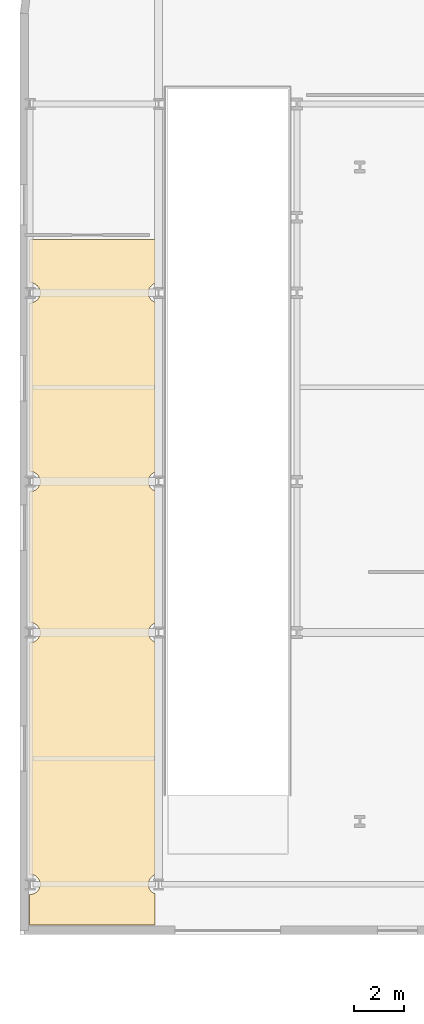
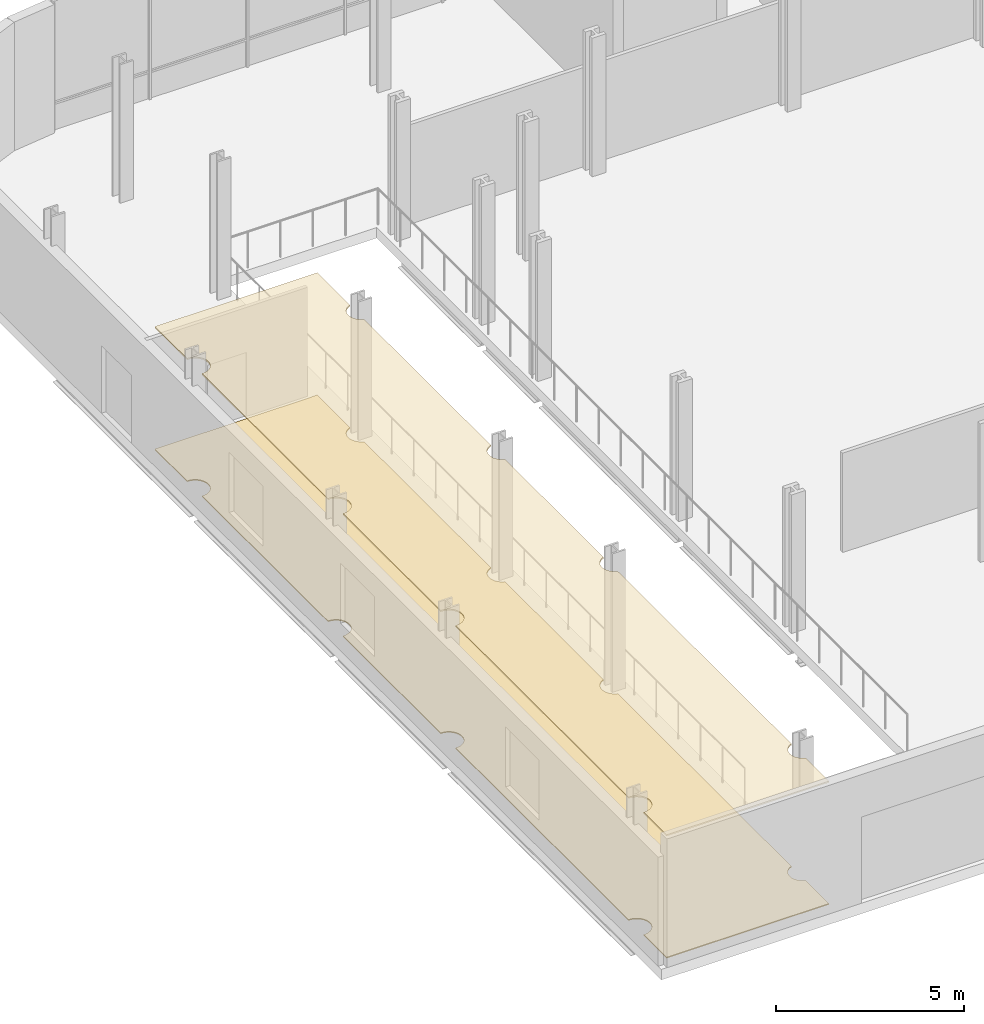
# One storey, part 22 of 28: 2 coverings.
"""IFC4 building model written with IfcOpenShell, lengths in metres."""

from ifc_helpers import new_model, si_unit, direction, frame, origin, place, context, subcontext, project, spatial, polyline, outline, extrude, material, layer, layer_set, type_object, element, save


model = new_model("IFC4")

# Units and contexts
model_context = context("Model", 3, precision=1e-05, world=origin(), true_north=direction((0.0, 1.0)))
body_context = subcontext(model_context, "Body", "Model", "MODEL_VIEW")
ifc_project = project(units=[si_unit("LENGTHUNIT", "METRE"), si_unit("AREAUNIT", "SQUARE_METRE"), si_unit("VOLUMEUNIT", "CUBIC_METRE"), si_unit("PLANEANGLEUNIT", "RADIAN"), si_unit("MASSUNIT", "GRAM", prefix="KILO")], contexts=[model_context])

# Site, building, storey
site_placement = place(None, origin())
site = spatial("IfcSite", under=ifc_project, at=site_placement, CompositionType="ELEMENT")
building_placement = place(site_placement, origin())
building = spatial("IfcBuilding", under=site, at=building_placement, Name="Brevholm Reach", CompositionType="ELEMENT")
storey_placement = place(building_placement, origin())
storey = spatial("IfcBuildingStorey", under=building, at=storey_placement, Name="L00", CompositionType="ELEMENT", Elevation=0.0)

# Coverings
ifc_material_1 = material(Name="Perforated Mineral-Fibre Class-A Acoustic Suspended Ceiling", Category="gypsum")
ifc_layer_1 = layer(ifc_material_1, 0.044921875)
ifc_layer_set_1 = layer_set([ifc_layer_1], Name="Perforated Mineral-Fibre Class-A Acoustic Suspended Ceiling")
covering_type_1 = type_object("IfcCoveringType", Name="COV-CLG-AC", PredefinedType="CEILING", material=ifc_layer_set_1)
covering_1_placement = place(storey_placement, frame((0.0, 0.0, 3.965087890625)))
element("IfcCovering", 1, at=covering_1_placement, inside=storey, type_object=covering_type_1, Name="L00 Suspended Ceiling L00-39", PredefinedType="CEILING", context=body_context, shape_type="SweptSolid", body=[
    extrude(outline(polyline([(-10.6201171875, -0.39892578125), (-10.60009765625, -0.39990234375), (-10.560791015625, -0.398193359375), (-10.52197265625, -0.392333984375), (-10.48388671875, -0.3828125), (-10.447021484375, -0.36962890625), (-10.411376953125, -0.352783203125), (-10.377685546875, -0.33251953125), (-10.34619140625, -0.30908203125), (-10.317138671875, -0.28271484375), (-10.290771484375, -0.25390625), (-10.267333984375, -0.22216796875), (-10.247314453125, -0.188720703125), (-10.23046875, -0.153076171875), (-10.21728515625, -0.1162109375), (-10.207763671875, -0.077880859375), (-10.201904296875, -0.039306640625), (-10.199951171875, 0.0), (-10.201904296875, 0.039306640625), (-10.207763671875, 0.077880859375), (-10.21728515625, 0.1162109375), (-10.23046875, 0.153076171875), (-10.247314453125, 0.188720703125), (-10.267333984375, 0.22216796875), (-10.290771484375, 0.25390625), (-10.317138671875, 0.28271484375), (-10.34619140625, 0.30908203125), (-10.377685546875, 0.33251953125), (-10.411376953125, 0.352783203125), (-10.447021484375, 0.36962890625), (-10.48388671875, 0.3828125), (-10.52197265625, 0.392333984375), (-10.560791015625, 0.398193359375), (-10.60009765625, 0.39990234375), (-10.6201171875, 0.39892578125), (-10.6201171875, 9.60107421875), (-10.60009765625, 9.60009765625), (-10.560791015625, 9.601806640625), (-10.52197265625, 9.607666015625), (-10.48388671875, 9.6171875), (-10.447021484375, 9.63037109375), (-10.411376953125, 9.647216796875), (-10.377685546875, 9.66748046875), (-10.34619140625, 9.69091796875), (-10.317138671875, 9.71728515625), (-10.290771484375, 9.74609375), (-10.267333984375, 9.77783203125), (-10.247314453125, 9.811279296875), (-10.23046875, 9.846923828125), (-10.21728515625, 9.8837890625), (-10.207763671875, 9.922119140625), (-10.201904296875, 9.960693359375), (-10.199951171875, 10.0), (-10.201904296875, 10.039306640625), (-10.207763671875, 10.077880859375), (-10.21728515625, 10.1162109375), (-10.23046875, 10.153076171875), (-10.247314453125, 10.188720703125), (-10.267333984375, 10.22216796875), (-10.290771484375, 10.25390625), (-10.317138671875, 10.28271484375), (-10.34619140625, 10.30908203125), (-10.377685546875, 10.33251953125), (-10.411376953125, 10.352783203125), (-10.447021484375, 10.36962890625), (-10.48388671875, 10.3828125), (-10.52197265625, 10.392333984375), (-10.560791015625, 10.398193359375), (-10.60009765625, 10.39990234375), (-10.6201171875, 10.39892578125), (-10.6201171875, 15.60107421875), (-10.60009765625, 15.60009765625), (-10.560791015625, 15.601806640625), (-10.52197265625, 15.607666015625), (-10.48388671875, 15.6171875), (-10.447021484375, 15.63037109375), (-10.411376953125, 15.647216796875), (-10.377685546875, 15.66748046875), (-10.34619140625, 15.69091796875), (-10.317138671875, 15.71728515625), (-10.290771484375, 15.74609375), (-10.267333984375, 15.77783203125), (-10.247314453125, 15.811279296875), (-10.23046875, 15.846923828125), (-10.21728515625, 15.8837890625), (-10.207763671875, 15.922119140625), (-10.201904296875, 15.960693359375), (-10.199951171875, 16.0), (-10.201904296875, 16.039306640625), (-10.207763671875, 16.077880859375), (-10.21728515625, 16.1162109375), (-10.23046875, 16.153076171875), (-10.247314453125, 16.188720703125), (-10.267333984375, 16.22216796875), (-10.290771484375, 16.25390625), (-10.317138671875, 16.28271484375), (-10.34619140625, 16.30908203125), (-10.377685546875, 16.33251953125), (-10.411376953125, 16.352783203125), (-10.447021484375, 16.36962890625), (-10.48388671875, 16.3828125), (-10.52197265625, 16.392333984375), (-10.560791015625, 16.398193359375), (-10.60009765625, 16.39990234375), (-10.6201171875, 16.39892578125), (-10.6201171875, 23.10107421875), (-10.60009765625, 23.10009765625), (-10.560791015625, 23.101806640625), (-10.52197265625, 23.107666015625), (-10.48388671875, 23.1171875), (-10.447021484375, 23.13037109375), (-10.411376953125, 23.147216796875), (-10.377685546875, 23.16748046875), (-10.34619140625, 23.19091796875), (-10.317138671875, 23.21728515625), (-10.290771484375, 23.24609375), (-10.267333984375, 23.27783203125), (-10.247314453125, 23.311279296875), (-10.23046875, 23.346923828125), (-10.21728515625, 23.3837890625), (-10.207763671875, 23.422119140625), (-10.201904296875, 23.460693359375), (-10.199951171875, 23.5), (-10.201904296875, 23.539306640625), (-10.207763671875, 23.577880859375), (-10.21728515625, 23.6162109375), (-10.23046875, 23.653076171875), (-10.247314453125, 23.688720703125), (-10.267333984375, 23.72216796875), (-10.290771484375, 23.75390625), (-10.317138671875, 23.78271484375), (-10.34619140625, 23.80908203125), (-10.377685546875, 23.83251953125), (-10.411376953125, 23.852783203125), (-10.447021484375, 23.86962890625), (-10.48388671875, 23.8828125), (-10.52197265625, 23.892333984375), (-10.560791015625, 23.898193359375), (-10.60009765625, 23.89990234375), (-10.6201171875, 23.89892578125), (-10.6201171875, 25.615966796875), (-5.85009765625, 25.615966796875), (-5.83251953125, 25.616943359375), (-5.81494140625, 25.619384765625), (-5.812744140625, 25.6201171875), (-5.6298828125, 25.6201171875), (-5.6298828125, 23.877685546875), (-5.653076171875, 23.86962890625), (-5.688720703125, 23.852783203125), (-5.72216796875, 23.83251953125), (-5.75390625, 23.80908203125), (-5.78271484375, 23.78271484375), (-5.80908203125, 23.75390625), (-5.83251953125, 23.72216796875), (-5.852783203125, 23.688720703125), (-5.86962890625, 23.653076171875), (-5.8828125, 23.6162109375), (-5.892333984375, 23.577880859375), (-5.898193359375, 23.539306640625), (-5.89990234375, 23.5), (-5.898193359375, 23.460693359375), (-5.892333984375, 23.422119140625), (-5.8828125, 23.3837890625), (-5.86962890625, 23.346923828125), (-5.852783203125, 23.311279296875), (-5.83251953125, 23.27783203125), (-5.80908203125, 23.24609375), (-5.78271484375, 23.21728515625), (-5.75390625, 23.19091796875), (-5.72216796875, 23.16748046875), (-5.688720703125, 23.147216796875), (-5.653076171875, 23.13037109375), (-5.6298828125, 23.122314453125), (-5.6298828125, 16.377685546875), (-5.653076171875, 16.36962890625), (-5.688720703125, 16.352783203125), (-5.72216796875, 16.33251953125), (-5.75390625, 16.30908203125), (-5.78271484375, 16.28271484375), (-5.80908203125, 16.25390625), (-5.83251953125, 16.22216796875), (-5.852783203125, 16.188720703125), (-5.86962890625, 16.153076171875), (-5.8828125, 16.1162109375), (-5.892333984375, 16.077880859375), (-5.898193359375, 16.039306640625), (-5.89990234375, 16.0), (-5.898193359375, 15.960693359375), (-5.892333984375, 15.922119140625), (-5.8828125, 15.8837890625), (-5.86962890625, 15.846923828125), (-5.852783203125, 15.811279296875), (-5.83251953125, 15.77783203125), (-5.80908203125, 15.74609375), (-5.78271484375, 15.71728515625), (-5.75390625, 15.69091796875), (-5.72216796875, 15.66748046875), (-5.688720703125, 15.647216796875), (-5.653076171875, 15.63037109375), (-5.6298828125, 15.622314453125), (-5.6298828125, 10.377685546875), (-5.653076171875, 10.36962890625), (-5.688720703125, 10.352783203125), (-5.72216796875, 10.33251953125), (-5.75390625, 10.30908203125), (-5.78271484375, 10.28271484375), (-5.80908203125, 10.25390625), (-5.83251953125, 10.22216796875), (-5.852783203125, 10.188720703125), (-5.86962890625, 10.153076171875), (-5.8828125, 10.1162109375), (-5.892333984375, 10.077880859375), (-5.898193359375, 10.039306640625), (-5.89990234375, 10.0), (-5.898193359375, 9.960693359375), (-5.892333984375, 9.922119140625), (-5.8828125, 9.8837890625), (-5.86962890625, 9.846923828125), (-5.852783203125, 9.811279296875), (-5.83251953125, 9.77783203125), (-5.80908203125, 9.74609375), (-5.78271484375, 9.71728515625), (-5.75390625, 9.69091796875), (-5.72216796875, 9.66748046875), (-5.688720703125, 9.647216796875), (-5.653076171875, 9.63037109375), (-5.6298828125, 9.622314453125), (-5.6298828125, 0.377685546875), (-5.653076171875, 0.36962890625), (-5.688720703125, 0.352783203125), (-5.72216796875, 0.33251953125), (-5.75390625, 0.30908203125), (-5.78271484375, 0.28271484375), (-5.80908203125, 0.25390625), (-5.83251953125, 0.22216796875), (-5.852783203125, 0.188720703125), (-5.86962890625, 0.153076171875), (-5.8828125, 0.1162109375), (-5.892333984375, 0.077880859375), (-5.898193359375, 0.039306640625), (-5.89990234375, 0.0), (-5.898193359375, -0.039306640625), (-5.892333984375, -0.077880859375), (-5.8828125, -0.1162109375), (-5.86962890625, -0.153076171875), (-5.852783203125, -0.188720703125), (-5.83251953125, -0.22216796875), (-5.80908203125, -0.25390625), (-5.78271484375, -0.28271484375), (-5.75390625, -0.30908203125), (-5.72216796875, -0.33251953125), (-5.688720703125, -0.352783203125), (-5.653076171875, -0.36962890625), (-5.6298828125, -0.377685546875), (-5.6298828125, -1.6201171875), (-10.6201171875, -1.6201171875), (-10.6201171875, -0.39892578125)])), origin(), (0.0, 0.0, 1.0), 0.044921875),
])
ifc_material_2 = material(Name="Honed Portland-Aggregate Resin Terrazzo Flooring", Category="concrete")
ifc_layer_2 = layer(ifc_material_2, 0.031982421875)
ifc_layer_set_2 = layer_set([ifc_layer_2], Name="Honed Portland-Aggregate Resin Terrazzo Flooring")
covering_type_2 = type_object("IfcCoveringType", Name="COV-FLR-TRZ", PredefinedType="FLOORING", material=ifc_layer_set_2)
covering_2_placement = place(storey_placement, origin())
element("IfcCovering", 2, at=covering_2_placement, inside=storey, type_object=covering_type_2, Name="L00 Floor Finish L00-39", PredefinedType="FLOORING", context=body_context, shape_type="SweptSolid", body=[
    extrude(outline(polyline([(-10.6201171875, -0.39892578125), (-10.60009765625, -0.39990234375), (-10.560791015625, -0.398193359375), (-10.52197265625, -0.392333984375), (-10.48388671875, -0.3828125), (-10.447021484375, -0.36962890625), (-10.411376953125, -0.352783203125), (-10.377685546875, -0.33251953125), (-10.34619140625, -0.30908203125), (-10.317138671875, -0.28271484375), (-10.290771484375, -0.25390625), (-10.267333984375, -0.22216796875), (-10.247314453125, -0.188720703125), (-10.23046875, -0.153076171875), (-10.21728515625, -0.1162109375), (-10.207763671875, -0.077880859375), (-10.201904296875, -0.039306640625), (-10.199951171875, 0.0), (-10.201904296875, 0.039306640625), (-10.207763671875, 0.077880859375), (-10.21728515625, 0.1162109375), (-10.23046875, 0.153076171875), (-10.247314453125, 0.188720703125), (-10.267333984375, 0.22216796875), (-10.290771484375, 0.25390625), (-10.317138671875, 0.28271484375), (-10.34619140625, 0.30908203125), (-10.377685546875, 0.33251953125), (-10.411376953125, 0.352783203125), (-10.447021484375, 0.36962890625), (-10.48388671875, 0.3828125), (-10.52197265625, 0.392333984375), (-10.560791015625, 0.398193359375), (-10.60009765625, 0.39990234375), (-10.6201171875, 0.39892578125), (-10.6201171875, 9.60107421875), (-10.60009765625, 9.60009765625), (-10.560791015625, 9.601806640625), (-10.52197265625, 9.607666015625), (-10.48388671875, 9.6171875), (-10.447021484375, 9.63037109375), (-10.411376953125, 9.647216796875), (-10.377685546875, 9.66748046875), (-10.34619140625, 9.69091796875), (-10.317138671875, 9.71728515625), (-10.290771484375, 9.74609375), (-10.267333984375, 9.77783203125), (-10.247314453125, 9.811279296875), (-10.23046875, 9.846923828125), (-10.21728515625, 9.8837890625), (-10.207763671875, 9.922119140625), (-10.201904296875, 9.960693359375), (-10.199951171875, 10.0), (-10.201904296875, 10.039306640625), (-10.207763671875, 10.077880859375), (-10.21728515625, 10.1162109375), (-10.23046875, 10.153076171875), (-10.247314453125, 10.188720703125), (-10.267333984375, 10.22216796875), (-10.290771484375, 10.25390625), (-10.317138671875, 10.28271484375), (-10.34619140625, 10.30908203125), (-10.377685546875, 10.33251953125), (-10.411376953125, 10.352783203125), (-10.447021484375, 10.36962890625), (-10.48388671875, 10.3828125), (-10.52197265625, 10.392333984375), (-10.560791015625, 10.398193359375), (-10.60009765625, 10.39990234375), (-10.6201171875, 10.39892578125), (-10.6201171875, 15.60107421875), (-10.60009765625, 15.60009765625), (-10.560791015625, 15.601806640625), (-10.52197265625, 15.607666015625), (-10.48388671875, 15.6171875), (-10.447021484375, 15.63037109375), (-10.411376953125, 15.647216796875), (-10.377685546875, 15.66748046875), (-10.34619140625, 15.69091796875), (-10.317138671875, 15.71728515625), (-10.290771484375, 15.74609375), (-10.267333984375, 15.77783203125), (-10.247314453125, 15.811279296875), (-10.23046875, 15.846923828125), (-10.21728515625, 15.8837890625), (-10.207763671875, 15.922119140625), (-10.201904296875, 15.960693359375), (-10.199951171875, 16.0), (-10.201904296875, 16.039306640625), (-10.207763671875, 16.077880859375), (-10.21728515625, 16.1162109375), (-10.23046875, 16.153076171875), (-10.247314453125, 16.188720703125), (-10.267333984375, 16.22216796875), (-10.290771484375, 16.25390625), (-10.317138671875, 16.28271484375), (-10.34619140625, 16.30908203125), (-10.377685546875, 16.33251953125), (-10.411376953125, 16.352783203125), (-10.447021484375, 16.36962890625), (-10.48388671875, 16.3828125), (-10.52197265625, 16.392333984375), (-10.560791015625, 16.398193359375), (-10.60009765625, 16.39990234375), (-10.6201171875, 16.39892578125), (-10.6201171875, 23.10107421875), (-10.60009765625, 23.10009765625), (-10.560791015625, 23.101806640625), (-10.52197265625, 23.107666015625), (-10.48388671875, 23.1171875), (-10.447021484375, 23.13037109375), (-10.411376953125, 23.147216796875), (-10.377685546875, 23.16748046875), (-10.34619140625, 23.19091796875), (-10.317138671875, 23.21728515625), (-10.290771484375, 23.24609375), (-10.267333984375, 23.27783203125), (-10.247314453125, 23.311279296875), (-10.23046875, 23.346923828125), (-10.21728515625, 23.3837890625), (-10.207763671875, 23.422119140625), (-10.201904296875, 23.460693359375), (-10.199951171875, 23.5), (-10.201904296875, 23.539306640625), (-10.207763671875, 23.577880859375), (-10.21728515625, 23.6162109375), (-10.23046875, 23.653076171875), (-10.247314453125, 23.688720703125), (-10.267333984375, 23.72216796875), (-10.290771484375, 23.75390625), (-10.317138671875, 23.78271484375), (-10.34619140625, 23.80908203125), (-10.377685546875, 23.83251953125), (-10.411376953125, 23.852783203125), (-10.447021484375, 23.86962890625), (-10.48388671875, 23.8828125), (-10.52197265625, 23.892333984375), (-10.560791015625, 23.898193359375), (-10.60009765625, 23.89990234375), (-10.6201171875, 23.89892578125), (-10.6201171875, 25.615966796875), (-5.85009765625, 25.615966796875), (-5.83251953125, 25.616943359375), (-5.81494140625, 25.619384765625), (-5.812744140625, 25.6201171875), (-5.6298828125, 25.6201171875), (-5.6298828125, 23.877685546875), (-5.653076171875, 23.86962890625), (-5.688720703125, 23.852783203125), (-5.72216796875, 23.83251953125), (-5.75390625, 23.80908203125), (-5.78271484375, 23.78271484375), (-5.80908203125, 23.75390625), (-5.83251953125, 23.72216796875), (-5.852783203125, 23.688720703125), (-5.86962890625, 23.653076171875), (-5.8828125, 23.6162109375), (-5.892333984375, 23.577880859375), (-5.898193359375, 23.539306640625), (-5.89990234375, 23.5), (-5.898193359375, 23.460693359375), (-5.892333984375, 23.422119140625), (-5.8828125, 23.3837890625), (-5.86962890625, 23.346923828125), (-5.852783203125, 23.311279296875), (-5.83251953125, 23.27783203125), (-5.80908203125, 23.24609375), (-5.78271484375, 23.21728515625), (-5.75390625, 23.19091796875), (-5.72216796875, 23.16748046875), (-5.688720703125, 23.147216796875), (-5.653076171875, 23.13037109375), (-5.6298828125, 23.122314453125), (-5.6298828125, 16.377685546875), (-5.653076171875, 16.36962890625), (-5.688720703125, 16.352783203125), (-5.72216796875, 16.33251953125), (-5.75390625, 16.30908203125), (-5.78271484375, 16.28271484375), (-5.80908203125, 16.25390625), (-5.83251953125, 16.22216796875), (-5.852783203125, 16.188720703125), (-5.86962890625, 16.153076171875), (-5.8828125, 16.1162109375), (-5.892333984375, 16.077880859375), (-5.898193359375, 16.039306640625), (-5.89990234375, 16.0), (-5.898193359375, 15.960693359375), (-5.892333984375, 15.922119140625), (-5.8828125, 15.8837890625), (-5.86962890625, 15.846923828125), (-5.852783203125, 15.811279296875), (-5.83251953125, 15.77783203125), (-5.80908203125, 15.74609375), (-5.78271484375, 15.71728515625), (-5.75390625, 15.69091796875), (-5.72216796875, 15.66748046875), (-5.688720703125, 15.647216796875), (-5.653076171875, 15.63037109375), (-5.6298828125, 15.622314453125), (-5.6298828125, 10.377685546875), (-5.653076171875, 10.36962890625), (-5.688720703125, 10.352783203125), (-5.72216796875, 10.33251953125), (-5.75390625, 10.30908203125), (-5.78271484375, 10.28271484375), (-5.80908203125, 10.25390625), (-5.83251953125, 10.22216796875), (-5.852783203125, 10.188720703125), (-5.86962890625, 10.153076171875), (-5.8828125, 10.1162109375), (-5.892333984375, 10.077880859375), (-5.898193359375, 10.039306640625), (-5.89990234375, 10.0), (-5.898193359375, 9.960693359375), (-5.892333984375, 9.922119140625), (-5.8828125, 9.8837890625), (-5.86962890625, 9.846923828125), (-5.852783203125, 9.811279296875), (-5.83251953125, 9.77783203125), (-5.80908203125, 9.74609375), (-5.78271484375, 9.71728515625), (-5.75390625, 9.69091796875), (-5.72216796875, 9.66748046875), (-5.688720703125, 9.647216796875), (-5.653076171875, 9.63037109375), (-5.6298828125, 9.622314453125), (-5.6298828125, 0.377685546875), (-5.653076171875, 0.36962890625), (-5.688720703125, 0.352783203125), (-5.72216796875, 0.33251953125), (-5.75390625, 0.30908203125), (-5.78271484375, 0.28271484375), (-5.80908203125, 0.25390625), (-5.83251953125, 0.22216796875), (-5.852783203125, 0.188720703125), (-5.86962890625, 0.153076171875), (-5.8828125, 0.1162109375), (-5.892333984375, 0.077880859375), (-5.898193359375, 0.039306640625), (-5.89990234375, 0.0), (-5.898193359375, -0.039306640625), (-5.892333984375, -0.077880859375), (-5.8828125, -0.1162109375), (-5.86962890625, -0.153076171875), (-5.852783203125, -0.188720703125), (-5.83251953125, -0.22216796875), (-5.80908203125, -0.25390625), (-5.78271484375, -0.28271484375), (-5.75390625, -0.30908203125), (-5.72216796875, -0.33251953125), (-5.688720703125, -0.352783203125), (-5.653076171875, -0.36962890625), (-5.6298828125, -0.377685546875), (-5.6298828125, -1.6201171875), (-10.6201171875, -1.6201171875), (-10.6201171875, -0.39892578125)])), origin(), (0.0, 0.0, 1.0), 0.031982421875),
])

save(model, "model.ifc")
